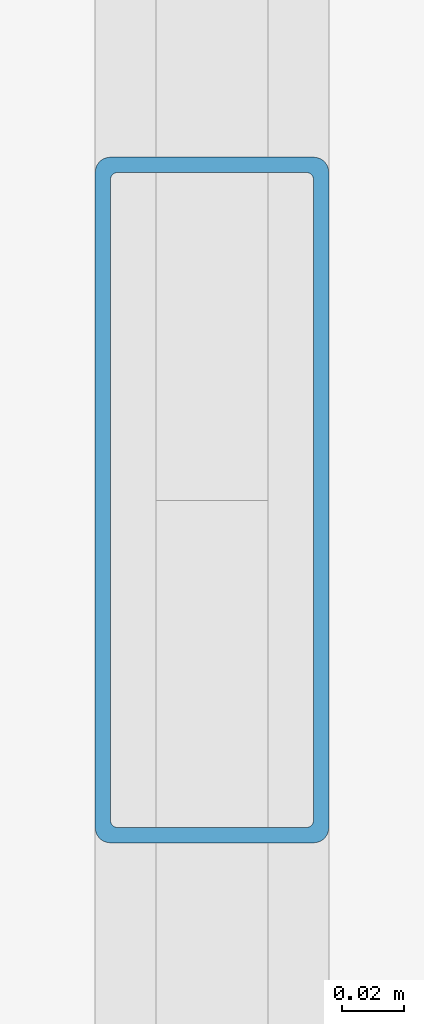
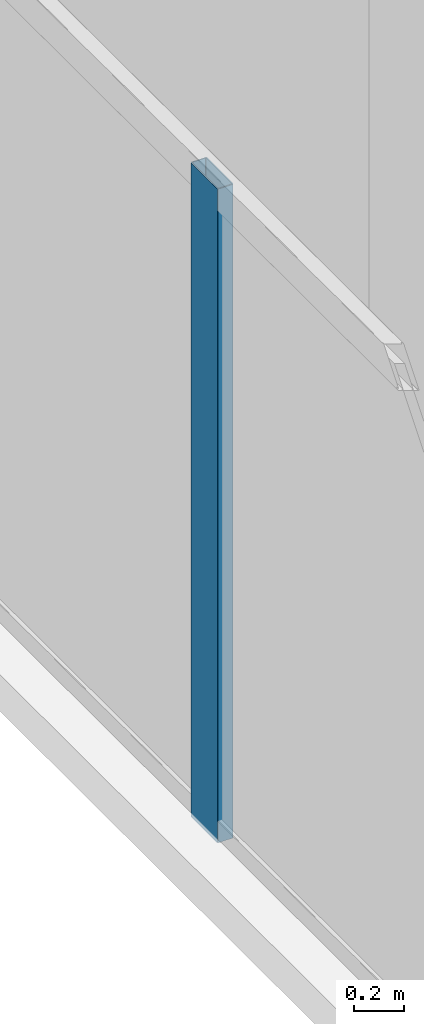
# One storey, part 4 of 17: 1 member, 1 element without a shape of its own.
"""IFC4 building model written with IfcOpenShell, lengths in metres."""

from ifc_helpers import new_model, si_unit, direction, frame, origin, origin_2d, place, context, subcontext, project, spatial, hollow_rectangle, extrude, material, material_profile, profile_set, type_object, element, aggregate, save


model = new_model("IFC4")

# Units and contexts
model_context = context("Model", 3, precision=1e-05, world=origin(), true_north=direction((0.0, 1.0)))
body_context = subcontext(model_context, "Body", "Model", "MODEL_VIEW")
ifc_project = project(units=[si_unit("LENGTHUNIT", "METRE"), si_unit("AREAUNIT", "SQUARE_METRE"), si_unit("VOLUMEUNIT", "CUBIC_METRE"), si_unit("PLANEANGLEUNIT", "RADIAN"), si_unit("MASSUNIT", "GRAM", prefix="KILO")], contexts=[model_context])

# Site, building, storey
site_placement = place(None, origin())
site = spatial("IfcSite", under=ifc_project, at=site_placement, CompositionType="ELEMENT")
building_placement = place(site_placement, origin())
building = spatial("IfcBuilding", under=site, at=building_placement, Name="Noeulbin Bourse Tower", CompositionType="ELEMENT")
storey_placement = place(building_placement, frame((0.0, 0.0, 293.0)))
storey = spatial("IfcBuildingStorey", under=building, at=storey_placement, Name="L73", CompositionType="ELEMENT", Elevation=293.0)

# Curtain wall, member
ifc_material_1 = material(Name="High-Selectivity Low-Iron Glazing", Category="glass")
curtain_wall_type = type_object("IfcCurtainWallType", Name="CW-SYS-4", PredefinedType="NOTDEFINED", material=ifc_material_1)
curtain_wall_placement = place(storey_placement, origin())
curtain_wall = element("IfcCurtainWall", 1, at=curtain_wall_placement, inside=storey, type_object=curtain_wall_type, Name="Unitised Curtain Wall CW-L73-W", PredefinedType="NOTDEFINED")
ifc_material_2 = material(Name="Anodised Aluminium 6063-T6", Category="aluminium")
ifc_material_profile = material_profile(ifc_material_2, hollow_rectangle(XDim=0.074951171875, YDim=0.219970703125, WallThickness=0.0048828125, InnerFilletRadius=0.00244140625, OuterFilletRadius=0.0048828125, at=origin_2d()), Name="ALU-MULL-75x220x5", Category="LoadBearing")
ifc_profile_set = profile_set([ifc_material_profile], Name="Anodised Aluminium 6063-T6")
member_type = type_object("IfcMemberType", Name="CW-SYS-4-MUL", PredefinedType="MULLION", material=ifc_profile_set)
member_placement = place(storey_placement, frame((12.219970703125, 28.97607421875, -0.02001953125), z_axis=(0.0, 0.0, 1.0), x_axis=(1.0, 0.0, 0.0)))
member = element("IfcMember", 2, at=member_placement, type_object=member_type, Name="Curtain Wall Mullion CW-L73-W-M02", PredefinedType="MULLION", context=body_context, shape_type="SweptSolid", body=[
    extrude(hollow_rectangle(XDim=0.074951171875, YDim=0.219970703125, WallThickness=0.0048828125, InnerFilletRadius=0.00244140625, OuterFilletRadius=0.0048828125, at=origin_2d()), origin(), (0.0, 0.0, 1.0), 3.219970703125),
])
aggregate(curtain_wall, [member])

save(model, "model.ifc")
